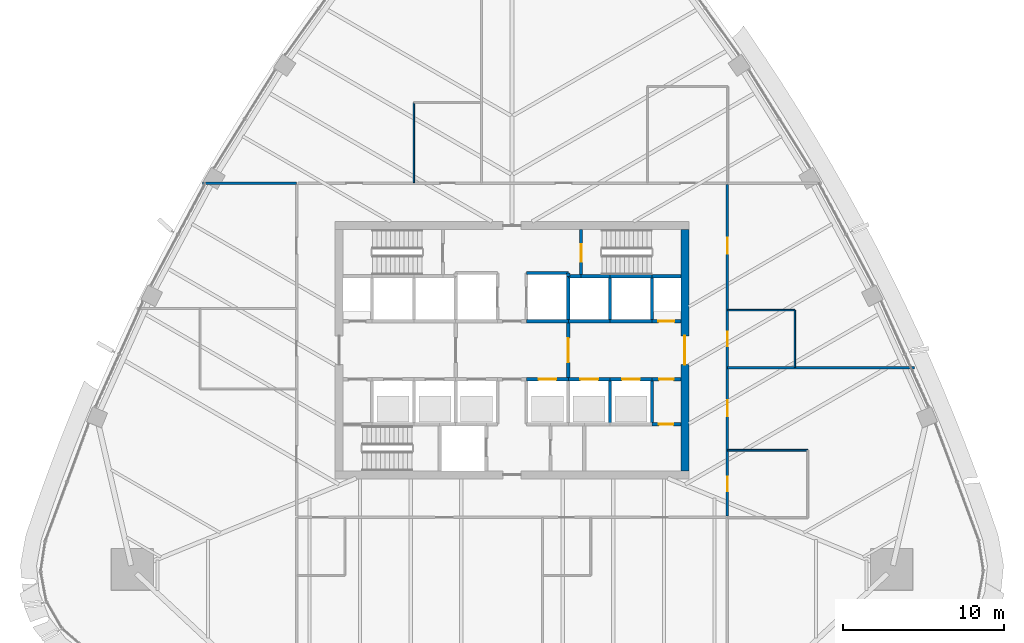
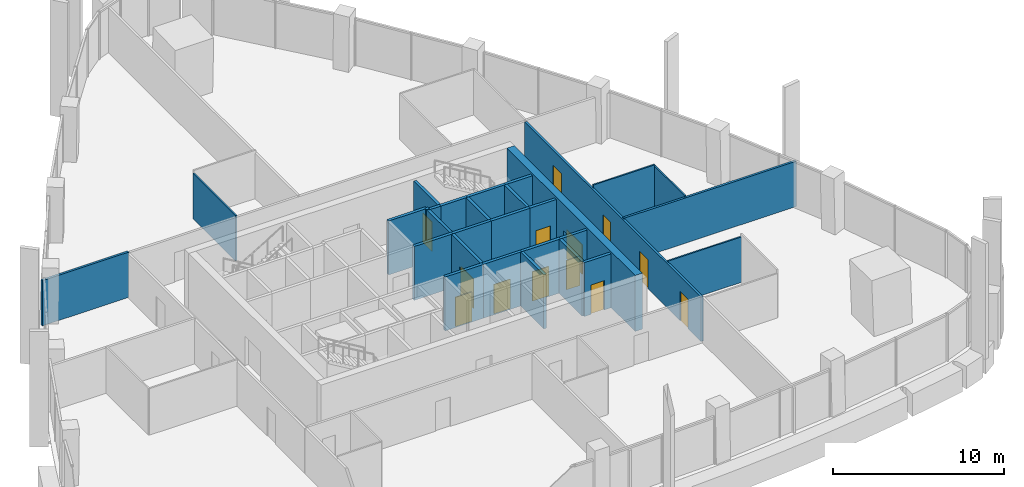
# One storey, part 11 of 19: 30 walls, 13 doors, 13 openings.
"""IFC4 building model written with IfcOpenShell, lengths in metres."""

from ifc_helpers import new_model, si_unit, direction, frame, frame_2d, origin, place, context, subcontext, project, spatial, rectangle, extrude, material, layer, layer_set, type_object, element, fill, save


model = new_model("IFC4")

# Units and contexts
model_context = context("Model", 3, precision=1e-05, world=origin(), true_north=direction((0.0, 1.0)))
body_context = subcontext(model_context, "Body", "Model", "MODEL_VIEW")
ifc_project = project(units=[si_unit("LENGTHUNIT", "METRE"), si_unit("AREAUNIT", "SQUARE_METRE"), si_unit("VOLUMEUNIT", "CUBIC_METRE"), si_unit("PLANEANGLEUNIT", "RADIAN"), si_unit("MASSUNIT", "GRAM", prefix="KILO")], contexts=[model_context])

# Site, building, storey
site_placement = place(None, origin())
site = spatial("IfcSite", under=ifc_project, at=site_placement, CompositionType="ELEMENT")
building_placement = place(site_placement, origin())
building = spatial("IfcBuilding", under=site, at=building_placement, Name="Sierra Prisma Convention Tower", CompositionType="ELEMENT")
storey_placement = place(building_placement, frame((0.0, 0.0, 177.800048828125)))
storey = spatial("IfcBuildingStorey", under=building, at=storey_placement, Name="L39", CompositionType="ELEMENT", Elevation=177.800048828125)

# Walls
ifc_material_1 = material(Name="Gypsum board partition", Category="gypsum")
ifc_layer_1 = layer(ifc_material_1, 0.10009765625)
ifc_layer_set_1 = layer_set([ifc_layer_1], Name="Bathroom partition 100")
wall_type_1 = type_object("IfcWallType", Name="Bathroom partition 100", PredefinedType="PARTITIONING", material=ifc_layer_set_1)
for number, where, z_axis, x_axis, name in (
    (1, (-6.10009765625, 10.429931640625, 0.0), (0.0, 0.0, 1.0), (0.0, 1.0, 0.0), "Partition L39 bath 5"),
    (2, (13.429931640625, -6.219970703125, 0.0), (0.0, 0.0, 1.0), (1.0, 0.0, 0.0), "Partition L39 bath 12"),
):
    element("IfcWall", number, at=place(storey_placement, frame(where, z_axis=z_axis, x_axis=x_axis)), inside=storey, type_object=wall_type_1, Name=name, PredefinedType="PARTITIONING", context=body_context, shape_type="SweptSolid", body=[
        extrude(rectangle(XDim=4.969970703125, YDim=0.10009765625, at=frame_2d((2.48486328125, 0.0))), origin(), (0.0, 0.0, 1.0), 3.2470703125),
    ])
wall_1_placement = place(storey_placement, frame((13.429931640625, 2.5, 0.0), z_axis=(0.0, 0.0, 1.0), x_axis=(1.0, 0.0, 0.0)))
element("IfcWall", 3, at=wall_1_placement, inside=storey, type_object=wall_type_1, Name="Partition L39 bath 15", PredefinedType="PARTITIONING", context=body_context, shape_type="SweptSolid", body=[
    extrude(rectangle(XDim=4.170166015625, YDim=0.10009765625, at=frame_2d((2.0849609375, 0.0))), origin(), (0.0, 0.0, 1.0), 3.39306640625),
])
wall_2_placement = place(storey_placement, frame((17.60009765625, 2.5, 0.0), z_axis=(0.0, 0.0, 1.0), x_axis=(0.0, -1.0, 0.0)))
element("IfcWall", 4, at=wall_2_placement, inside=storey, type_object=wall_type_1, Name="Partition L39 bath 16", PredefinedType="PARTITIONING", context=body_context, shape_type="SweptSolid", body=[
    extrude(rectangle(XDim=3.570068359375, YDim=0.10009765625, at=frame_2d((1.78515625, 0.0))), origin(), (0.0, 0.0, 1.0), 3.31689453125),
])

# Wall, opening, door
ifc_material_2 = material(Name="Concrete C30/37", Category="concrete")
ifc_layer_2 = layer(ifc_material_2, 0.199951171875)
ifc_layer_set_2 = layer_set([ifc_layer_2], Name="Core wall RC 200 C30/37")
wall_type_2 = type_object("IfcWallType", Name="Core wall RC 200 C30/37", PredefinedType="SOLIDWALL", material=ifc_layer_set_2)
wall_3_placement = place(storey_placement, frame((0.89990234375, -1.800048828125, 0.0), z_axis=(0.0, 0.0, 1.0), x_axis=(1.0, 0.0, 0.0)))
wall_3 = element("IfcWall", 5, at=wall_3_placement, inside=storey, type_object=wall_type_2, Name="Core wall L39 35", PredefinedType="SOLIDWALL", context=body_context, shape_type="SweptSolid", body=[
    extrude(rectangle(XDim=2.60009765625, YDim=0.199951171875, at=frame_2d((1.300048828125, 0.0))), origin(), (0.0, 0.0, 1.0), 3.849853515625),
])
opening_1_placement = place(wall_3_placement, frame((0.75, 0.0, 0.0)))
opening_1 = element("IfcOpeningElement", 6, at=opening_1_placement, cuts=wall_3, Name="Opening L39-D004", PredefinedType="OPENING", context=body_context, shape_type="SweptSolid", body=[
    extrude(rectangle(XDim=1.10009765625, YDim=2.10009765625, at=frame_2d((0.550048828125, 1.050048828125))), frame((0.0, 0.10009765625, 0.0), z_axis=(0.0, -1.0, 0.0), x_axis=(1.0, 0.0, 0.0)), (0.0, 0.0, 1.0), 0.199951171875),
])
ifc_material_3 = material(Name="Steel fire door leaf", Category="steel")
door_type_1 = type_object("IfcDoorType", Name="Door 1100x2100 EI 90 sliding lift landing", OperationType="SLIDING_TO_LEFT", PredefinedType="DOOR", material=ifc_material_3)
door_1_placement = place(opening_1_placement, origin())
door_1 = element("IfcDoor", 7, at=door_1_placement, inside=storey, type_object=door_type_1, Name="Door L39 19", OperationType="SLIDING_TO_RIGHT", OverallHeight=2.10009765625, OverallWidth=1.10009765625, PredefinedType="DOOR", context=body_context, shape_type="SweptSolid", body=[
    extrude(rectangle(XDim=1.10009765625, YDim=2.10009765625, at=frame_2d((0.550048828125, 1.050048828125))), frame((0.0, 0.02490234375, 0.0), z_axis=(0.0, -1.0, 0.0), x_axis=(1.0, 0.0, 0.0)), (0.0, 0.0, 1.0), 0.050048828125),
])
fill(opening_1, door_1)

# Walls
wall_4_placement = place(storey_placement, frame((3.5, 1.800048828125, 0.0), z_axis=(0.0, 0.0, 1.0), x_axis=(-1.0, 0.0, 0.0)))
element("IfcWall", 8, at=wall_4_placement, inside=storey, type_object=wall_type_2, Name="Core wall L39 38", PredefinedType="SOLIDWALL", context=body_context, shape_type="SweptSolid", body=[
    extrude(rectangle(XDim=2.60009765625, YDim=0.199951171875, at=frame_2d((1.300048828125, 0.0))), origin(), (0.0, 0.0, 1.0), 3.849853515625),
])
wall_5_placement = place(storey_placement, frame((3.5, 4.60009765625, 0.0), z_axis=(0.0, 0.0, 1.0), x_axis=(0.0, 1.0, 0.0)))
element("IfcWall", 9, at=wall_5_placement, inside=storey, type_object=wall_type_2, Name="Core wall L39 39", PredefinedType="SOLIDWALL", context=body_context, shape_type="SweptSolid", body=[
    extrude(rectangle(XDim=0.199951171875, YDim=0.199951171875, at=frame_2d((0.10009765625, 0.0))), origin(), (0.0, 0.0, 1.0), 3.849853515625),
])
wall_6_placement = place(storey_placement, frame((3.5, 4.800048828125, 0.0), z_axis=(0.0, 0.0, 1.0), x_axis=(-1.0, 0.0, 0.0)))
element("IfcWall", 10, at=wall_6_placement, inside=storey, type_object=wall_type_2, Name="Core wall L39 40", PredefinedType="SOLIDWALL", context=body_context, shape_type="SweptSolid", body=[
    extrude(rectangle(XDim=2.60009765625, YDim=0.199951171875, at=frame_2d((1.300048828125, 0.0))), origin(), (0.0, 0.0, 1.0), 3.849853515625),
])

# Wall, opening, door
wall_7_placement = place(storey_placement, frame((3.5, -1.800048828125, 0.0), z_axis=(0.0, 0.0, 1.0), x_axis=(1.0, 0.0, 0.0)))
wall_7 = element("IfcWall", 11, at=wall_7_placement, inside=storey, type_object=wall_type_2, Name="Core wall L39 46", PredefinedType="SOLIDWALL", context=body_context, shape_type="SweptSolid", body=[
    extrude(rectangle(XDim=2.60009765625, YDim=0.199951171875, at=frame_2d((1.300048828125, 0.0))), origin(), (0.0, 0.0, 1.0), 3.849853515625),
])
opening_2_placement = place(wall_7_placement, frame((0.75, 0.0, 0.0)))
opening_2 = element("IfcOpeningElement", 12, at=opening_2_placement, cuts=wall_7, Name="Opening L39-D005", PredefinedType="OPENING", context=body_context, shape_type="SweptSolid", body=[
    extrude(rectangle(XDim=1.10009765625, YDim=2.10009765625, at=frame_2d((0.550048828125, 1.050048828125))), frame((0.0, 0.10009765625, 0.0), z_axis=(0.0, -1.0, 0.0), x_axis=(1.0, 0.0, 0.0)), (0.0, 0.0, 1.0), 0.199951171875),
])
door_2_placement = place(opening_2_placement, origin())
door_2 = element("IfcDoor", 13, at=door_2_placement, inside=storey, type_object=door_type_1, Name="Door L39 20", OperationType="SLIDING_TO_LEFT", OverallHeight=2.10009765625, OverallWidth=1.10009765625, PredefinedType="DOOR", context=body_context, shape_type="SweptSolid", body=[
    extrude(rectangle(XDim=1.10009765625, YDim=2.10009765625, at=frame_2d((0.550048828125, 1.050048828125))), frame((0.0, 0.02490234375, 0.0), z_axis=(0.0, -1.0, 0.0), x_axis=(1.0, 0.0, 0.0)), (0.0, 0.0, 1.0), 0.050048828125),
])
fill(opening_2, door_2)

wall_8_placement = place(storey_placement, frame((3.5, -1.800048828125, 0.0), z_axis=(0.0, 0.0, 1.0), x_axis=(0.0, 1.0, 0.0)))
wall_8 = element("IfcWall", 14, at=wall_8_placement, inside=storey, type_object=wall_type_2, Name="Core wall L39 47", PredefinedType="SOLIDWALL", context=body_context, shape_type="SweptSolid", body=[
    extrude(rectangle(XDim=3.60009765625, YDim=0.199951171875, at=frame_2d((1.800048828125, 0.0))), origin(), (0.0, 0.0, 1.0), 3.849853515625),
])
opening_3_placement = place(wall_8_placement, frame((1.050048828125, 0.0, 0.0)))
opening_3 = element("IfcOpeningElement", 15, at=opening_3_placement, cuts=wall_8, Name="Opening L39-D011", PredefinedType="OPENING", context=body_context, shape_type="SweptSolid", body=[
    extrude(rectangle(XDim=1.5, YDim=2.10009765625, at=frame_2d((0.75, 1.050048828125))), frame((0.0, 0.10009765625, 0.0), z_axis=(0.0, -1.0, 0.0), x_axis=(1.0, 0.0, 0.0)), (0.0, 0.0, 1.0), 0.199951171875),
])
ifc_material_4 = material(Name="Steel fire door leaf", Category="steel")
door_type_2 = type_object("IfcDoorType", Name="Door 1500x2100 FD30S", OperationType="DOUBLE_DOOR_SINGLE_SWING", PredefinedType="DOOR", material=ifc_material_4)
door_3_placement = place(opening_3_placement, origin())
door_3 = element("IfcDoor", 16, at=door_3_placement, inside=storey, type_object=door_type_2, Name="Door L39 26", OperationType="DOUBLE_DOOR_SINGLE_SWING", OverallHeight=2.10009765625, OverallWidth=1.5, PredefinedType="DOOR", context=body_context, shape_type="SweptSolid", body=[
    extrude(rectangle(XDim=1.5, YDim=2.10009765625, at=frame_2d((0.75, 1.050048828125))), frame((0.0, 0.02490234375, 0.0), z_axis=(0.0, -1.0, 0.0), x_axis=(1.0, 0.0, 0.0)), (0.0, 0.0, 1.0), 0.050048828125),
])
fill(opening_3, door_3)

# Walls
wall_9_placement = place(storey_placement, frame((6.10009765625, 1.800048828125, 0.0), z_axis=(0.0, 0.0, 1.0), x_axis=(-1.0, 0.0, 0.0)))
element("IfcWall", 17, at=wall_9_placement, inside=storey, type_object=wall_type_2, Name="Core wall L39 48", PredefinedType="SOLIDWALL", context=body_context, shape_type="SweptSolid", body=[
    extrude(rectangle(XDim=2.60009765625, YDim=0.199951171875, at=frame_2d((1.300048828125, 0.0))), origin(), (0.0, 0.0, 1.0), 3.849853515625),
])
wall_10_placement = place(storey_placement, frame((3.5, 1.800048828125, 0.0), z_axis=(0.0, 0.0, 1.0), x_axis=(0.0, 1.0, 0.0)))
element("IfcWall", 18, at=wall_10_placement, inside=storey, type_object=wall_type_2, Name="Core wall L39 49", PredefinedType="SOLIDWALL", context=body_context, shape_type="SweptSolid", body=[
    extrude(rectangle(XDim=2.800048828125, YDim=0.199951171875, at=frame_2d((1.39990234375, 0.0))), origin(), (0.0, 0.0, 1.0), 3.849853515625),
])
wall_11_placement = place(storey_placement, frame((4.300048828125, 4.60009765625, 0.0), z_axis=(0.0, 0.0, 1.0), x_axis=(-1.0, 0.0, 0.0)))
element("IfcWall", 19, at=wall_11_placement, inside=storey, type_object=wall_type_2, Name="Core wall L39 50", PredefinedType="SOLIDWALL", context=body_context, shape_type="SweptSolid", body=[
    extrude(rectangle(XDim=0.800048828125, YDim=0.199951171875, at=frame_2d((0.39990234375, 0.0))), origin(), (0.0, 0.0, 1.0), 3.849853515625),
])
wall_12_placement = place(storey_placement, frame((6.10009765625, 4.60009765625, 0.0), z_axis=(0.0, 0.0, 1.0), x_axis=(-1.0, 0.0, 0.0)))
element("IfcWall", 20, at=wall_12_placement, inside=storey, type_object=wall_type_2, Name="Core wall L39 51", PredefinedType="SOLIDWALL", context=body_context, shape_type="SweptSolid", body=[
    extrude(rectangle(XDim=1.800048828125, YDim=0.199951171875, at=frame_2d((0.89990234375, 0.0))), origin(), (0.0, 0.0, 1.0), 3.849853515625),
])

# Wall, opening, door
wall_13_placement = place(storey_placement, frame((4.300048828125, 7.5, 0.0), z_axis=(0.0, 0.0, 1.0), x_axis=(0.0, -1.0, 0.0)))
wall_13 = element("IfcWall", 21, at=wall_13_placement, inside=storey, type_object=wall_type_2, Name="Core wall L39 52", PredefinedType="SOLIDWALL", context=body_context, shape_type="SweptSolid", body=[
    extrude(rectangle(XDim=2.89990234375, YDim=0.199951171875, at=frame_2d((1.449951171875, 0.0))), origin(), (0.0, 0.0, 1.0), 3.849853515625),
])
opening_4_placement = place(wall_13_placement, frame((0.89990234375, 0.0, 0.0)))
opening_4 = element("IfcOpeningElement", 22, at=opening_4_placement, cuts=wall_13, Name="Opening L39-D019", PredefinedType="OPENING", context=body_context, shape_type="SweptSolid", body=[
    extrude(rectangle(XDim=1.10009765625, YDim=2.10009765625, at=frame_2d((0.550048828125, 1.050048828125))), frame((0.0, 0.10009765625, 0.0), z_axis=(0.0, -1.0, 0.0), x_axis=(1.0, 0.0, 0.0)), (0.0, 0.0, 1.0), 0.199951171875),
])
ifc_material_5 = material(Name="Steel fire door leaf", Category="steel")
door_type_3 = type_object("IfcDoorType", Name="Door 1100x2100 FD90S", OperationType="SINGLE_SWING_LEFT", PredefinedType="DOOR", material=ifc_material_5)
door_4_placement = place(opening_4_placement, origin())
door_4 = element("IfcDoor", 23, at=door_4_placement, inside=storey, type_object=door_type_3, Name="Door L39 34", OperationType="SINGLE_SWING_RIGHT", OverallHeight=2.10009765625, OverallWidth=1.10009765625, PredefinedType="DOOR", context=body_context, shape_type="SweptSolid", body=[
    extrude(rectangle(XDim=1.10009765625, YDim=2.10009765625, at=frame_2d((0.550048828125, 1.050048828125))), frame((0.0, 0.02490234375, 0.0), z_axis=(0.0, -1.0, 0.0), x_axis=(1.0, 0.0, 0.0)), (0.0, 0.0, 1.0), 0.050048828125),
])
fill(opening_4, door_4)

# Wall
wall_14_placement = place(storey_placement, frame((6.10009765625, -4.60009765625, 0.0), z_axis=(0.0, 0.0, 1.0), x_axis=(0.0, 1.0, 0.0)))
element("IfcWall", 24, at=wall_14_placement, inside=storey, type_object=wall_type_2, Name="Core wall L39 56", PredefinedType="SOLIDWALL", context=body_context, shape_type="SweptSolid", body=[
    extrude(rectangle(XDim=2.800048828125, YDim=0.199951171875, at=frame_2d((1.39990234375, 0.0))), origin(), (0.0, 0.0, 1.0), 3.849853515625),
])

# Wall, opening, door
wall_15_placement = place(storey_placement, frame((6.10009765625, -1.800048828125, 0.0), z_axis=(0.0, 0.0, 1.0), x_axis=(1.0, 0.0, 0.0)))
wall_15 = element("IfcWall", 25, at=wall_15_placement, inside=storey, type_object=wall_type_2, Name="Core wall L39 57", PredefinedType="SOLIDWALL", context=body_context, shape_type="SweptSolid", body=[
    extrude(rectangle(XDim=2.599853515625, YDim=0.199951171875, at=frame_2d((1.2998046875, 0.0))), origin(), (0.0, 0.0, 1.0), 3.849853515625),
])
opening_5_placement = place(wall_15_placement, frame((0.75, 0.0, 0.0)))
opening_5 = element("IfcOpeningElement", 26, at=opening_5_placement, cuts=wall_15, Name="Opening L39-D006", PredefinedType="OPENING", context=body_context, shape_type="SweptSolid", body=[
    extrude(rectangle(XDim=1.10009765625, YDim=2.10009765625, at=frame_2d((0.550048828125, 1.050048828125))), frame((0.0, 0.10009765625, 0.0), z_axis=(0.0, -1.0, 0.0), x_axis=(1.0, 0.0, 0.0)), (0.0, 0.0, 1.0), 0.199951171875),
])
door_5_placement = place(opening_5_placement, origin())
door_5 = element("IfcDoor", 27, at=door_5_placement, inside=storey, type_object=door_type_1, Name="Door L39 21", OperationType="SLIDING_TO_RIGHT", OverallHeight=2.10009765625, OverallWidth=1.10009765625, PredefinedType="DOOR", context=body_context, shape_type="SweptSolid", body=[
    extrude(rectangle(XDim=1.10009765625, YDim=2.10009765625, at=frame_2d((0.550048828125, 1.050048828125))), frame((0.0, 0.02490234375, 0.0), z_axis=(0.0, -1.0, 0.0), x_axis=(1.0, 0.0, 0.0)), (0.0, 0.0, 1.0), 0.050048828125),
])
fill(opening_5, door_5)

# Walls
wall_16_placement = place(storey_placement, frame((8.699951171875, 1.800048828125, 0.0), z_axis=(0.0, 0.0, 1.0), x_axis=(-1.0, 0.0, 0.0)))
element("IfcWall", 28, at=wall_16_placement, inside=storey, type_object=wall_type_2, Name="Core wall L39 58", PredefinedType="SOLIDWALL", context=body_context, shape_type="SweptSolid", body=[
    extrude(rectangle(XDim=2.599853515625, YDim=0.199951171875, at=frame_2d((1.2998046875, 0.0))), origin(), (0.0, 0.0, 1.0), 3.849853515625),
])
wall_17_placement = place(storey_placement, frame((6.10009765625, 1.800048828125, 0.0), z_axis=(0.0, 0.0, 1.0), x_axis=(0.0, 1.0, 0.0)))
element("IfcWall", 29, at=wall_17_placement, inside=storey, type_object=wall_type_2, Name="Core wall L39 59", PredefinedType="SOLIDWALL", context=body_context, shape_type="SweptSolid", body=[
    extrude(rectangle(XDim=2.800048828125, YDim=0.199951171875, at=frame_2d((1.39990234375, 0.0))), origin(), (0.0, 0.0, 1.0), 3.849853515625),
])
wall_18_placement = place(storey_placement, frame((8.699951171875, 4.60009765625, 0.0), z_axis=(0.0, 0.0, 1.0), x_axis=(-1.0, 0.0, 0.0)))
element("IfcWall", 30, at=wall_18_placement, inside=storey, type_object=wall_type_2, Name="Core wall L39 60", PredefinedType="SOLIDWALL", context=body_context, shape_type="SweptSolid", body=[
    extrude(rectangle(XDim=2.599853515625, YDim=0.199951171875, at=frame_2d((1.2998046875, 0.0))), origin(), (0.0, 0.0, 1.0), 3.849853515625),
])

# Wall, opening, door
wall_19_placement = place(storey_placement, frame((10.5, -4.60009765625, 0.0), z_axis=(0.0, 0.0, 1.0), x_axis=(-1.0, 0.0, 0.0)))
wall_19 = element("IfcWall", 31, at=wall_19_placement, inside=storey, type_object=wall_type_2, Name="Core wall L39 61", PredefinedType="SOLIDWALL", context=body_context, shape_type="SweptSolid", body=[
    extrude(rectangle(XDim=1.800048828125, YDim=0.199951171875, at=frame_2d((0.89990234375, 0.0))), origin(), (0.0, 0.0, 1.0), 3.849853515625),
])
opening_6_placement = place(wall_19_placement, frame((0.4599609375, 0.0, 0.0)))
opening_6 = element("IfcOpeningElement", 32, at=opening_6_placement, cuts=wall_19, Name="Opening L39-D020", PredefinedType="OPENING", context=body_context, shape_type="SweptSolid", body=[
    extrude(rectangle(XDim=0.89990234375, YDim=2.10009765625, at=frame_2d((0.449951171875, 1.050048828125))), frame((0.0, 0.10009765625, 0.0), z_axis=(0.0, -1.0, 0.0), x_axis=(1.0, 0.0, 0.0)), (0.0, 0.0, 1.0), 0.199951171875),
])
ifc_material_6 = material(Name="Steel fire door leaf", Category="steel")
door_type_4 = type_object("IfcDoorType", Name="Door 900x2100 FD30S", OperationType="SINGLE_SWING_LEFT", PredefinedType="DOOR", material=ifc_material_6)
door_6_placement = place(opening_6_placement, origin())
door_6 = element("IfcDoor", 33, at=door_6_placement, inside=storey, type_object=door_type_4, Name="Door L39 35", OperationType="SINGLE_SWING_LEFT", OverallHeight=2.10009765625, OverallWidth=0.89990234375, PredefinedType="DOOR", context=body_context, shape_type="SweptSolid", body=[
    extrude(rectangle(XDim=0.89990234375, YDim=2.10009765625, at=frame_2d((0.449951171875, 1.050048828125))), frame((0.0, 0.02490234375, 0.0), z_axis=(0.0, -1.0, 0.0), x_axis=(1.0, 0.0, 0.0)), (0.0, 0.0, 1.0), 0.050048828125),
])
fill(opening_6, door_6)

# Wall
wall_20_placement = place(storey_placement, frame((8.699951171875, -1.800048828125, 0.0), z_axis=(0.0, 0.0, 1.0), x_axis=(0.0, -1.0, 0.0)))
element("IfcWall", 34, at=wall_20_placement, inside=storey, type_object=wall_type_2, Name="Core wall L39 62", PredefinedType="SOLIDWALL", context=body_context, shape_type="SweptSolid", body=[
    extrude(rectangle(XDim=2.800048828125, YDim=0.199951171875, at=frame_2d((1.39990234375, 0.0))), origin(), (0.0, 0.0, 1.0), 3.849853515625),
])

# Wall, opening, door
wall_21_placement = place(storey_placement, frame((8.699951171875, -1.800048828125, 0.0), z_axis=(0.0, 0.0, 1.0), x_axis=(1.0, 0.0, 0.0)))
wall_21 = element("IfcWall", 35, at=wall_21_placement, inside=storey, type_object=wall_type_2, Name="Core wall L39 63", PredefinedType="SOLIDWALL", context=body_context, shape_type="SweptSolid", body=[
    extrude(rectangle(XDim=1.800048828125, YDim=0.199951171875, at=frame_2d((0.89990234375, 0.0))), origin(), (0.0, 0.0, 1.0), 3.849853515625),
])
opening_7_placement = place(wall_21_placement, frame((0.449951171875, 0.0, 0.0)))
opening_7 = element("IfcOpeningElement", 36, at=opening_7_placement, cuts=wall_21, Name="Opening L39-D021", PredefinedType="OPENING", context=body_context, shape_type="SweptSolid", body=[
    extrude(rectangle(XDim=0.89990234375, YDim=2.10009765625, at=frame_2d((0.449951171875, 1.050048828125))), frame((0.0, 0.10009765625, 0.0), z_axis=(0.0, -1.0, 0.0), x_axis=(1.0, 0.0, 0.0)), (0.0, 0.0, 1.0), 0.199951171875),
])
door_7_placement = place(opening_7_placement, origin())
door_7 = element("IfcDoor", 37, at=door_7_placement, inside=storey, type_object=door_type_4, Name="Door L39 36", OperationType="SINGLE_SWING_LEFT", OverallHeight=2.10009765625, OverallWidth=0.89990234375, PredefinedType="DOOR", context=body_context, shape_type="SweptSolid", body=[
    extrude(rectangle(XDim=0.89990234375, YDim=2.10009765625, at=frame_2d((0.449951171875, 1.050048828125))), frame((0.0, 0.02490234375, 0.0), z_axis=(0.0, -1.0, 0.0), x_axis=(1.0, 0.0, 0.0)), (0.0, 0.0, 1.0), 0.050048828125),
])
fill(opening_7, door_7)

wall_22_placement = place(storey_placement, frame((10.5, 1.800048828125, 0.0), z_axis=(0.0, 0.0, 1.0), x_axis=(-1.0, 0.0, 0.0)))
wall_22 = element("IfcWall", 38, at=wall_22_placement, inside=storey, type_object=wall_type_2, Name="Core wall L39 64", PredefinedType="SOLIDWALL", context=body_context, shape_type="SweptSolid", body=[
    extrude(rectangle(XDim=1.800048828125, YDim=0.199951171875, at=frame_2d((0.89990234375, 0.0))), origin(), (0.0, 0.0, 1.0), 3.849853515625),
])
opening_8_placement = place(wall_22_placement, frame((0.39990234375, 0.0, 0.0)))
opening_8 = element("IfcOpeningElement", 39, at=opening_8_placement, cuts=wall_22, Name="Opening L39-D016", PredefinedType="OPENING", context=body_context, shape_type="SweptSolid", body=[
    extrude(rectangle(XDim=1.0, YDim=2.10009765625, at=frame_2d((0.5, 1.050048828125))), frame((0.0, 0.10009765625, 0.0), z_axis=(0.0, -1.0, 0.0), x_axis=(1.0, 0.0, 0.0)), (0.0, 0.0, 1.0), 0.199951171875),
])
ifc_material_7 = material(Name="Steel fire door leaf", Category="steel")
door_type_5 = type_object("IfcDoorType", Name="Door 1000x2100 FD60S", OperationType="SINGLE_SWING_LEFT", PredefinedType="DOOR", material=ifc_material_7)
door_8_placement = place(opening_8_placement, origin())
door_8 = element("IfcDoor", 40, at=door_8_placement, inside=storey, type_object=door_type_5, Name="Door L39 31", OperationType="SINGLE_SWING_LEFT", OverallHeight=2.10009765625, OverallWidth=1.0, PredefinedType="DOOR", context=body_context, shape_type="SweptSolid", body=[
    extrude(rectangle(XDim=1.0, YDim=2.10009765625, at=frame_2d((0.5, 1.050048828125))), frame((0.0, 0.02490234375, 0.0), z_axis=(0.0, -1.0, 0.0), x_axis=(1.0, 0.0, 0.0)), (0.0, 0.0, 1.0), 0.050048828125),
])
fill(opening_8, door_8)

# Walls
wall_23_placement = place(storey_placement, frame((8.699951171875, 4.60009765625, 0.0), z_axis=(0.0, 0.0, 1.0), x_axis=(0.0, -1.0, 0.0)))
element("IfcWall", 41, at=wall_23_placement, inside=storey, type_object=wall_type_2, Name="Core wall L39 65", PredefinedType="SOLIDWALL", context=body_context, shape_type="SweptSolid", body=[
    extrude(rectangle(XDim=2.800048828125, YDim=0.199951171875, at=frame_2d((1.39990234375, 0.0))), origin(), (0.0, 0.0, 1.0), 3.849853515625),
])
wall_24_placement = place(storey_placement, frame((10.5, 4.60009765625, 0.0), z_axis=(0.0, 0.0, 1.0), x_axis=(-1.0, 0.0, 0.0)))
element("IfcWall", 42, at=wall_24_placement, inside=storey, type_object=wall_type_2, Name="Core wall L39 66", PredefinedType="SOLIDWALL", context=body_context, shape_type="SweptSolid", body=[
    extrude(rectangle(XDim=1.800048828125, YDim=0.199951171875, at=frame_2d((0.89990234375, 0.0))), origin(), (0.0, 0.0, 1.0), 3.849853515625),
])

# Wall, opening, door
ifc_material_8 = material(Name="Concrete C60/75", Category="concrete")
ifc_layer_3 = layer(ifc_material_8, 0.5)
ifc_layer_set_3 = layer_set([ifc_layer_3], Name="Core wall RC 500 C60/75")
wall_type_3 = type_object("IfcWallType", Name="Core wall RC 500 C60/75", PredefinedType="SHEAR", material=ifc_layer_set_3)
wall_25_placement = place(storey_placement, frame((10.75, -7.5, 0.0), z_axis=(0.0, 0.0, 1.0), x_axis=(0.0, 1.0, 0.0)))
wall_25 = element("IfcWall", 43, at=wall_25_placement, inside=storey, type_object=wall_type_3, Name="Core wall E L39", PredefinedType="SHEAR", context=body_context, shape_type="SweptSolid", body=[
    extrude(rectangle(XDim=15.0, YDim=0.5, at=frame_2d((7.5, 0.0))), origin(), (0.0, 0.0, 1.0), 4.0),
])
opening_9_placement = place(wall_25_placement, frame((6.60009765625, 0.0, 0.0)))
opening_9 = element("IfcOpeningElement", 44, at=opening_9_placement, cuts=wall_25, Name="Opening L39-D038", PredefinedType="OPENING", context=body_context, shape_type="SweptSolid", body=[
    extrude(rectangle(XDim=1.800048828125, YDim=2.10009765625, at=frame_2d((0.89990234375, 1.050048828125))), frame((0.0, 0.25, 0.0), z_axis=(0.0, -1.0, 0.0), x_axis=(1.0, 0.0, 0.0)), (0.0, 0.0, 1.0), 0.5),
])
ifc_material_9 = material(Name="Steel fire door leaf", Category="steel")
door_type_6 = type_object("IfcDoorType", Name="Door 1800x2100 FD60S", OperationType="DOUBLE_DOOR_SINGLE_SWING", PredefinedType="DOOR", material=ifc_material_9)
door_9_placement = place(opening_9_placement, origin())
door_9 = element("IfcDoor", 45, at=door_9_placement, inside=storey, type_object=door_type_6, Name="Door L39 39", OperationType="DOUBLE_DOOR_SINGLE_SWING", OverallHeight=2.10009765625, OverallWidth=1.800048828125, PredefinedType="DOOR", context=body_context, shape_type="SweptSolid", body=[
    extrude(rectangle(XDim=1.800048828125, YDim=2.10009765625, at=frame_2d((0.89990234375, 1.050048828125))), frame((0.0, 0.02490234375, 0.0), z_axis=(0.0, -1.0, 0.0), x_axis=(1.0, 0.0, 0.0)), (0.0, 0.0, 1.0), 0.050048828125),
])
fill(opening_9, door_9)

# Wall, openings, doors
ifc_material_10 = material(Name="Gypsum board partition", Category="gypsum")
ifc_layer_4 = layer(ifc_material_10, 0.14990234375)
ifc_layer_set_4 = layer_set([ifc_layer_4], Name="Corridor wall 150 gypsum EI 60")
wall_type_4 = type_object("IfcWallType", Name="Corridor wall 150 gypsum EI 60", PredefinedType="PARTITIONING", material=ifc_layer_set_4)
wall_26_placement = place(storey_placement, frame((13.39990234375, -10.320068359375, 0.0), z_axis=(0.0, 0.0, 1.0), x_axis=(0.0, 1.0, 0.0)))
wall_26 = element("IfcWall", 46, at=wall_26_placement, inside=storey, type_object=wall_type_4, Name="Partition L39 corr 4", PredefinedType="PARTITIONING", context=body_context, shape_type="SweptSolid", body=[
    extrude(rectangle(XDim=20.64013671875, YDim=0.14990234375, at=frame_2d((10.320068359375, 0.0))), origin(), (0.0, 0.0, 1.0), 3.166015625),
])
opening_10_placement = place(wall_26_placement, frame((10.570068359375, 0.0, 0.0)))
opening_10 = element("IfcOpeningElement", 47, at=opening_10_placement, cuts=wall_26, Name="Opening L39-D023", PredefinedType="OPENING", context=body_context, shape_type="SweptSolid", body=[
    extrude(rectangle(XDim=0.89990234375, YDim=2.10009765625, at=frame_2d((0.449951171875, 1.050048828125))), frame((0.0, 0.074951171875, 0.0), z_axis=(0.0, -1.0, 0.0), x_axis=(1.0, 0.0, 0.0)), (0.0, 0.0, 1.0), 0.14990234375),
])
opening_11_placement = place(wall_26_placement, frame((16.320068359375, 0.0, 0.0)))
opening_11 = element("IfcOpeningElement", 48, at=opening_11_placement, cuts=wall_26, Name="Opening L39-D024", PredefinedType="OPENING", context=body_context, shape_type="SweptSolid", body=[
    extrude(rectangle(XDim=1.0, YDim=2.10009765625, at=frame_2d((0.5, 1.050048828125))), frame((0.0, 0.074951171875, 0.0), z_axis=(0.0, -1.0, 0.0), x_axis=(1.0, 0.0, 0.0)), (0.0, 0.0, 1.0), 0.14990234375),
])
opening_12_placement = place(wall_26_placement, frame((1.550048828125, 0.0, 0.0)))
opening_12 = element("IfcOpeningElement", 49, at=opening_12_placement, cuts=wall_26, Name="Opening L39-D036", PredefinedType="OPENING", context=body_context, shape_type="SweptSolid", body=[
    extrude(rectangle(XDim=0.89990234375, YDim=2.10009765625, at=frame_2d((0.449951171875, 1.050048828125))), frame((0.0, 0.074951171875, 0.0), z_axis=(0.0, -1.0, 0.0), x_axis=(1.0, 0.0, 0.0)), (0.0, 0.0, 1.0), 0.14990234375),
])
opening_13_placement = place(wall_26_placement, frame((6.2099609375, 0.0, 0.0)))
opening_13 = element("IfcOpeningElement", 50, at=opening_13_placement, cuts=wall_26, Name="Opening L39-D037", PredefinedType="OPENING", context=body_context, shape_type="SweptSolid", body=[
    extrude(rectangle(XDim=1.0, YDim=2.10009765625, at=frame_2d((0.5, 1.050048828125))), frame((0.0, 0.074951171875, 0.0), z_axis=(0.0, -1.0, 0.0), x_axis=(1.0, 0.0, 0.0)), (0.0, 0.0, 1.0), 0.14990234375),
])
ifc_material_11 = material(Name="Steel fire door leaf", Category="steel")
door_type_7 = type_object("IfcDoorType", Name="Door 1000x2100 FD30S", OperationType="SINGLE_SWING_LEFT", PredefinedType="DOOR", material=ifc_material_11)
door_10_placement = place(opening_11_placement, origin())
door_10 = element("IfcDoor", 51, at=door_10_placement, inside=storey, type_object=door_type_7, Name="Door L39 2", OperationType="SINGLE_SWING_LEFT", OverallHeight=2.10009765625, OverallWidth=1.0, PredefinedType="DOOR", context=body_context, shape_type="SweptSolid", body=[
    extrude(rectangle(XDim=1.0, YDim=2.10009765625, at=frame_2d((0.5, 1.050048828125))), frame((0.0, 0.02490234375, 0.0), z_axis=(0.0, -1.0, 0.0), x_axis=(1.0, 0.0, 0.0)), (0.0, 0.0, 1.0), 0.050048828125),
])
fill(opening_11, door_10)
door_11_placement = place(opening_13_placement, origin())
door_11 = element("IfcDoor", 52, at=door_11_placement, inside=storey, type_object=door_type_7, Name="Door L39 15", OperationType="SINGLE_SWING_RIGHT", OverallHeight=2.10009765625, OverallWidth=1.0, PredefinedType="DOOR", context=body_context, shape_type="SweptSolid", body=[
    extrude(rectangle(XDim=1.0, YDim=2.10009765625, at=frame_2d((0.5, 1.050048828125))), frame((0.0, 0.02490234375, 0.0), z_axis=(0.0, -1.0, 0.0), x_axis=(1.0, 0.0, 0.0)), (0.0, 0.0, 1.0), 0.050048828125),
])
fill(opening_13, door_11)
door_12_placement = place(opening_10_placement, origin())
door_12 = element("IfcDoor", 53, at=door_12_placement, inside=storey, type_object=door_type_4, Name="Door L39 1", OperationType="SINGLE_SWING_LEFT", OverallHeight=2.10009765625, OverallWidth=0.89990234375, PredefinedType="DOOR", context=body_context, shape_type="SweptSolid", body=[
    extrude(rectangle(XDim=0.89990234375, YDim=2.10009765625, at=frame_2d((0.449951171875, 1.050048828125))), frame((0.0, 0.02490234375, 0.0), z_axis=(0.0, -1.0, 0.0), x_axis=(1.0, 0.0, 0.0)), (0.0, 0.0, 1.0), 0.050048828125),
])
fill(opening_10, door_12)
door_13_placement = place(opening_12_placement, origin())
door_13 = element("IfcDoor", 54, at=door_13_placement, inside=storey, type_object=door_type_4, Name="Door L39 14", OperationType="SINGLE_SWING_RIGHT", OverallHeight=2.10009765625, OverallWidth=0.89990234375, PredefinedType="DOOR", context=body_context, shape_type="SweptSolid", body=[
    extrude(rectangle(XDim=0.89990234375, YDim=2.10009765625, at=frame_2d((0.449951171875, 1.050048828125))), frame((0.0, 0.02490234375, 0.0), z_axis=(0.0, -1.0, 0.0), x_axis=(1.0, 0.0, 0.0)), (0.0, 0.0, 1.0), 0.050048828125),
])
fill(opening_12, door_13)

# Walls
ifc_material_12 = material(Name="Gypsum board partition", Category="gypsum")
ifc_layer_5 = layer(ifc_material_12, 0.14990234375)
ifc_layer_set_5 = layer_set([ifc_layer_5], Name="Party wall 150 gypsum")
wall_type_5 = type_object("IfcWallType", Name="Party wall 150 gypsum", PredefinedType="PARTITIONING", material=ifc_layer_set_5)
wall_27_placement = place(storey_placement, frame((-13.39990234375, 10.39990234375, 0.0), z_axis=(0.0, 0.0, 1.0), x_axis=(-1.0, 0.0, 0.0)))
element("IfcWall", 55, at=wall_27_placement, inside=storey, type_object=wall_type_5, Name="Partition L39 party 2", PredefinedType="PARTITIONING", context=body_context, shape_type="SweptSolid", body=[
    extrude(rectangle(XDim=5.84521484375, YDim=0.14990234375, at=frame_2d((2.922607421875, 0.0))), origin(), (0.0, 0.0, 1.0), 3.23388671875),
])
wall_28_placement = place(storey_placement, frame((25.037109375, -1.10009765625, 0.0), z_axis=(0.0, 0.0, 1.0), x_axis=(-1.0, 0.0, 0.0)))
element("IfcWall", 56, at=wall_28_placement, inside=storey, type_object=wall_type_5, Name="Partition L39 party 7", PredefinedType="PARTITIONING", context=body_context, shape_type="SweptSolid", body=[
    extrude(rectangle(XDim=11.63720703125, YDim=0.14990234375, at=frame_2d((5.818603515625, 0.0))), origin(), (0.0, 0.0, 1.0), 3.23388671875),
])

save(model, "model.ifc")
